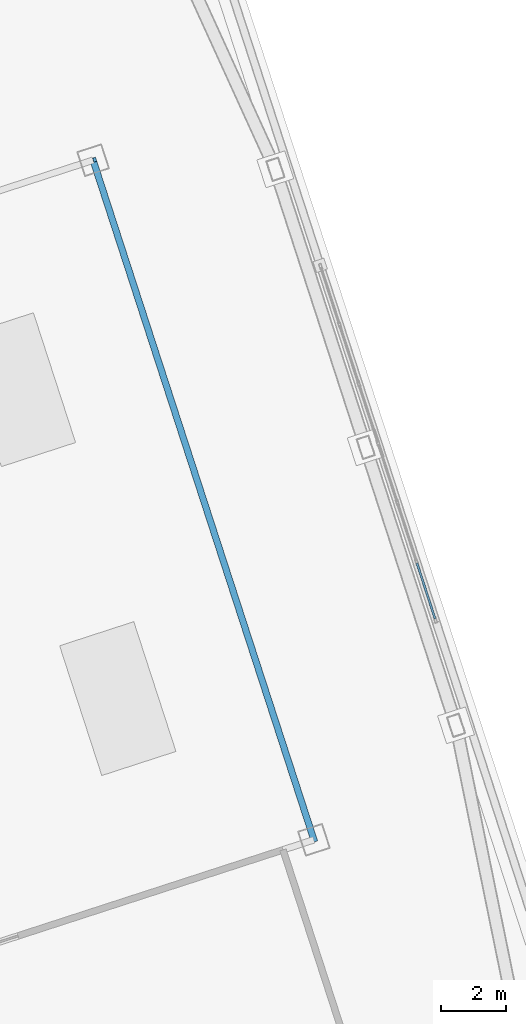
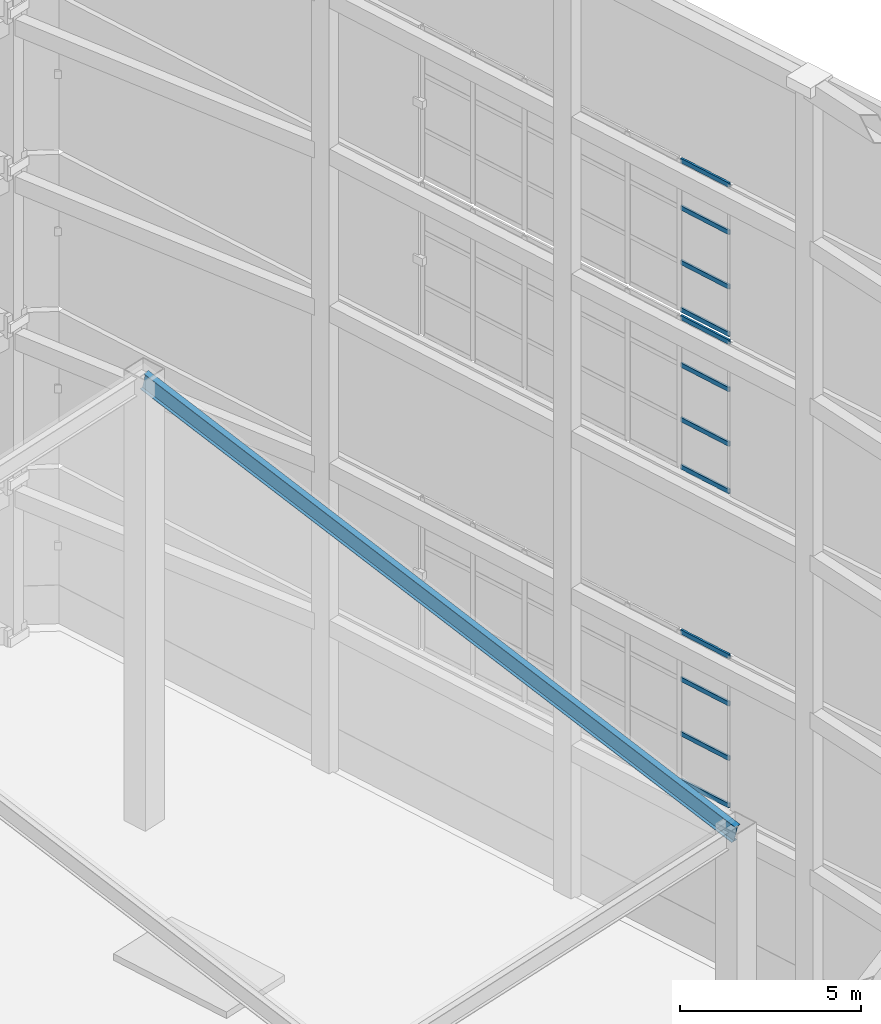
# One storey, part 27 of 56: 12 members, 1 beam, 3 elements without a shape of their own.
"""IFC4 building model written with IfcOpenShell, lengths in metres."""

from ifc_helpers import new_model, si_unit, direction, frame, origin, origin_2d, place, context, subcontext, project, spatial, hollow_rectangle, i_section, extrude, material, layer, layer_set, material_profile, profile_set, type_object, element, aggregate, save


model = new_model("IFC4")

# Units and contexts
model_context = context("Model", 3, precision=1e-05, world=origin(), true_north=direction((0.0, 1.0)))
body_context = subcontext(model_context, "Body", "Model", "MODEL_VIEW")
ifc_project = project(units=[si_unit("LENGTHUNIT", "METRE"), si_unit("AREAUNIT", "SQUARE_METRE"), si_unit("VOLUMEUNIT", "CUBIC_METRE"), si_unit("PLANEANGLEUNIT", "RADIAN"), si_unit("MASSUNIT", "GRAM", prefix="KILO")], contexts=[model_context])

# Site, building, storey
site_placement = place(None, origin())
site = spatial("IfcSite", under=ifc_project, at=site_placement, CompositionType="ELEMENT")
building_placement = place(site_placement, origin())
building = spatial("IfcBuilding", under=site, at=building_placement, Name="Qiaolan Cultural Towers", CompositionType="ELEMENT")
storey_placement = place(building_placement, frame((0.0, 0.0, 250.39990234375)))
storey = spatial("IfcBuildingStorey", under=building, at=storey_placement, Name="L68", CompositionType="ELEMENT", Elevation=250.39990234375)

# Beam
ifc_material_1 = material(Name="Steel Q355B", Category="steel")
ifc_material_profile_1 = material_profile(ifc_material_1, i_section(OverallWidth=0.199951171875, OverallDepth=0.60009765625, WebThickness=0.010986328125, FlangeThickness=0.01708984375, at=origin_2d()), Name="HN600x200x11x17")
ifc_profile_set_1 = profile_set([ifc_material_profile_1], Name="Steel Q355B")
beam_type = type_object("IfcBeamType", Name="BM-SPD-HN600x200x11x17", PredefinedType="SPANDREL", material=ifc_profile_set_1)
beam_placement = place(storey_placement, frame((101.19775390625, 26.072265625, 9.920166015625), z_axis=(-0.301330057589, 0.927407476674, 0.22162032534), x_axis=(-0.951057389716, -0.309014306248, 0.0)))
element("IfcBeam", 1, at=beam_placement, inside=storey, type_object=beam_type, Name="T2 Sloped Plant Roof Edge Rafter 4", PredefinedType="SPANDREL", context=body_context, shape_type="SweptSolid", body=[
    extrude(i_section(OverallWidth=0.199951171875, OverallDepth=0.60009765625, WebThickness=0.010986328125, FlangeThickness=0.01708984375, at=origin_2d()), origin(), (0.0, 0.0, 1.0), 22.56103515625),
])

# Curtain wall, members
ifc_material_2 = material(Name="Unitized Anodized Aluminium Curtain Wall System", Category="aluminium")
ifc_layer = layer(ifc_material_2, 0.199951171875)
ifc_layer_set = layer_set([ifc_layer], Name="Unitized Anodized Aluminium Curtain Wall System")
curtain_wall_type = type_object("IfcCurtainWallType", Name="CWS-06", PredefinedType="NOTDEFINED", material=ifc_layer_set)
curtain_wall_1_placement = place(storey_placement, origin())
curtain_wall_1 = element("IfcCurtainWall", 2, at=curtain_wall_1_placement, inside=storey, type_object=curtain_wall_type, Name="T2 Crown Tier 2 Fritted Screen Curtain Wall 3", PredefinedType="NOTDEFINED")
ifc_material_3 = material(Name="Extruded Aluminium 6063-T6", Category="aluminium")
ifc_material_profile_2 = material_profile(ifc_material_3, hollow_rectangle(XDim=0.06494140625, YDim=0.14990234375, WallThickness=0.00390625, at=origin_2d()), Name="CWT-150x65x4")
ifc_profile_set_2 = profile_set([ifc_material_profile_2], Name="Extruded Aluminium 6063-T6")
member_type = type_object("IfcMemberType", Name="CWS-06-TRN", PredefinedType="USERDEFINED", material=ifc_profile_set_2)
member_1_placement = place(storey_placement, frame((104.928955078125, 32.873046875, 5.4326171875), z_axis=(-0.309006671838, 0.951059870229, 0.0), x_axis=(-0.951059870229, -0.309006671838, 0.0)))
member_1 = element("IfcMember", 3, at=member_1_placement, type_object=member_type, Name="CW-6 transom 1.1", ObjectType="TRANSOM", PredefinedType="USERDEFINED", context=body_context, shape_type="SweptSolid", body=[
    extrude(hollow_rectangle(XDim=0.06494140625, YDim=0.14990234375, WallThickness=0.00390625, at=origin_2d()), origin(), (0.0, 0.0, 1.0), 1.8076171875),
])
member_2_placement = place(storey_placement, frame((104.928955078125, 32.873046875, 7.030029296875), z_axis=(-0.309006671838, 0.951059870229, 0.0), x_axis=(-0.951059870229, -0.309006671838, 0.0)))
member_2 = element("IfcMember", 4, at=member_2_placement, type_object=member_type, Name="CW-6 transom 1.2", ObjectType="TRANSOM", PredefinedType="USERDEFINED", context=body_context, shape_type="SweptSolid", body=[
    extrude(hollow_rectangle(XDim=0.06494140625, YDim=0.14990234375, WallThickness=0.00390625, at=origin_2d()), origin(), (0.0, 0.0, 1.0), 1.8076171875),
])
member_3_placement = place(storey_placement, frame((104.928955078125, 32.873046875, 8.8701171875), z_axis=(-0.309006671838, 0.951059870229, 0.0), x_axis=(-0.951059870229, -0.309006671838, 0.0)))
member_3 = element("IfcMember", 5, at=member_3_placement, type_object=member_type, Name="CW-6 transom 1.3", ObjectType="TRANSOM", PredefinedType="USERDEFINED", context=body_context, shape_type="SweptSolid", body=[
    extrude(hollow_rectangle(XDim=0.06494140625, YDim=0.14990234375, WallThickness=0.00390625, at=origin_2d()), origin(), (0.0, 0.0, 1.0), 1.8076171875),
])
member_4_placement = place(storey_placement, frame((104.928955078125, 32.873046875, 10.467529296875), z_axis=(-0.309006671838, 0.951059870229, 0.0), x_axis=(-0.951059870229, -0.309006671838, 0.0)))
member_4 = element("IfcMember", 6, at=member_4_placement, type_object=member_type, Name="CW-6 transom 1.4", ObjectType="TRANSOM", PredefinedType="USERDEFINED", context=body_context, shape_type="SweptSolid", body=[
    extrude(hollow_rectangle(XDim=0.06494140625, YDim=0.14990234375, WallThickness=0.00390625, at=origin_2d()), origin(), (0.0, 0.0, 1.0), 1.8076171875),
])
aggregate(curtain_wall_1, [member_1, member_2, member_3, member_4])

curtain_wall_2_placement = place(storey_placement, origin())
curtain_wall_2 = element("IfcCurtainWall", 7, at=curtain_wall_2_placement, inside=storey, type_object=curtain_wall_type, Name="T2 Crown Tier 4 Fritted Screen Curtain Wall 3", PredefinedType="NOTDEFINED")
member_5_placement = place(storey_placement, frame((104.928955078125, 32.873046875, 16.03271484375), z_axis=(-0.309006671838, 0.951059870229, 0.0), x_axis=(-0.951059870229, -0.309006671838, 0.0)))
member_5 = element("IfcMember", 8, at=member_5_placement, type_object=member_type, Name="CW-6 transom 1.1", ObjectType="TRANSOM", PredefinedType="USERDEFINED", context=body_context, shape_type="SweptSolid", body=[
    extrude(hollow_rectangle(XDim=0.06494140625, YDim=0.14990234375, WallThickness=0.00390625, at=origin_2d()), origin(), (0.0, 0.0, 1.0), 1.8076171875),
])
member_6_placement = place(storey_placement, frame((104.928955078125, 32.873046875, 17.630126953125), z_axis=(-0.309006671838, 0.951059870229, 0.0), x_axis=(-0.951059870229, -0.309006671838, 0.0)))
member_6 = element("IfcMember", 9, at=member_6_placement, type_object=member_type, Name="CW-6 transom 1.2", ObjectType="TRANSOM", PredefinedType="USERDEFINED", context=body_context, shape_type="SweptSolid", body=[
    extrude(hollow_rectangle(XDim=0.06494140625, YDim=0.14990234375, WallThickness=0.00390625, at=origin_2d()), origin(), (0.0, 0.0, 1.0), 1.8076171875),
])
member_7_placement = place(storey_placement, frame((104.928955078125, 32.873046875, 19.47021484375), z_axis=(-0.309006671838, 0.951059870229, 0.0), x_axis=(-0.951059870229, -0.309006671838, 0.0)))
member_7 = element("IfcMember", 10, at=member_7_placement, type_object=member_type, Name="CW-6 transom 1.3", ObjectType="TRANSOM", PredefinedType="USERDEFINED", context=body_context, shape_type="SweptSolid", body=[
    extrude(hollow_rectangle(XDim=0.06494140625, YDim=0.14990234375, WallThickness=0.00390625, at=origin_2d()), origin(), (0.0, 0.0, 1.0), 1.8076171875),
])
member_8_placement = place(storey_placement, frame((104.928955078125, 32.873046875, 21.067626953125), z_axis=(-0.309006671838, 0.951059870229, 0.0), x_axis=(-0.951059870229, -0.309006671838, 0.0)))
member_8 = element("IfcMember", 11, at=member_8_placement, type_object=member_type, Name="CW-6 transom 1.4", ObjectType="TRANSOM", PredefinedType="USERDEFINED", context=body_context, shape_type="SweptSolid", body=[
    extrude(hollow_rectangle(XDim=0.06494140625, YDim=0.14990234375, WallThickness=0.00390625, at=origin_2d()), origin(), (0.0, 0.0, 1.0), 1.8076171875),
])
aggregate(curtain_wall_2, [member_5, member_6, member_7, member_8])

curtain_wall_3_placement = place(storey_placement, origin())
curtain_wall_3 = element("IfcCurtainWall", 12, at=curtain_wall_3_placement, inside=storey, type_object=curtain_wall_type, Name="T2 Crown Tier 5 Fritted Screen Curtain Wall 3", PredefinedType="NOTDEFINED")
member_9_placement = place(storey_placement, frame((104.928955078125, 32.873046875, 21.33251953125), z_axis=(-0.309006671838, 0.951059870229, 0.0), x_axis=(-0.951059870229, -0.309006671838, 0.0)))
member_9 = element("IfcMember", 13, at=member_9_placement, type_object=member_type, Name="CW-6 transom 1.1", ObjectType="TRANSOM", PredefinedType="USERDEFINED", context=body_context, shape_type="SweptSolid", body=[
    extrude(hollow_rectangle(XDim=0.06494140625, YDim=0.14990234375, WallThickness=0.00390625, at=origin_2d()), origin(), (0.0, 0.0, 1.0), 1.8076171875),
])
member_10_placement = place(storey_placement, frame((104.928955078125, 32.873046875, 22.93017578125), z_axis=(-0.309006671838, 0.951059870229, 0.0), x_axis=(-0.951059870229, -0.309006671838, 0.0)))
member_10 = element("IfcMember", 14, at=member_10_placement, type_object=member_type, Name="CW-6 transom 1.2", ObjectType="TRANSOM", PredefinedType="USERDEFINED", context=body_context, shape_type="SweptSolid", body=[
    extrude(hollow_rectangle(XDim=0.06494140625, YDim=0.14990234375, WallThickness=0.00390625, at=origin_2d()), origin(), (0.0, 0.0, 1.0), 1.8076171875),
])
member_11_placement = place(storey_placement, frame((104.928955078125, 32.873046875, 24.77001953125), z_axis=(-0.309006671838, 0.951059870229, 0.0), x_axis=(-0.951059870229, -0.309006671838, 0.0)))
member_11 = element("IfcMember", 15, at=member_11_placement, type_object=member_type, Name="CW-6 transom 1.3", ObjectType="TRANSOM", PredefinedType="USERDEFINED", context=body_context, shape_type="SweptSolid", body=[
    extrude(hollow_rectangle(XDim=0.06494140625, YDim=0.14990234375, WallThickness=0.00390625, at=origin_2d()), origin(), (0.0, 0.0, 1.0), 1.8076171875),
])
member_12_placement = place(storey_placement, frame((104.928955078125, 32.873046875, 26.36767578125), z_axis=(-0.309006671838, 0.951059870229, 0.0), x_axis=(-0.951059870229, -0.309006671838, 0.0)))
member_12 = element("IfcMember", 16, at=member_12_placement, type_object=member_type, Name="CW-6 transom 1.4", ObjectType="TRANSOM", PredefinedType="USERDEFINED", context=body_context, shape_type="SweptSolid", body=[
    extrude(hollow_rectangle(XDim=0.06494140625, YDim=0.14990234375, WallThickness=0.00390625, at=origin_2d()), origin(), (0.0, 0.0, 1.0), 1.8076171875),
])
aggregate(curtain_wall_3, [member_9, member_10, member_11, member_12])

save(model, "model.ifc")
